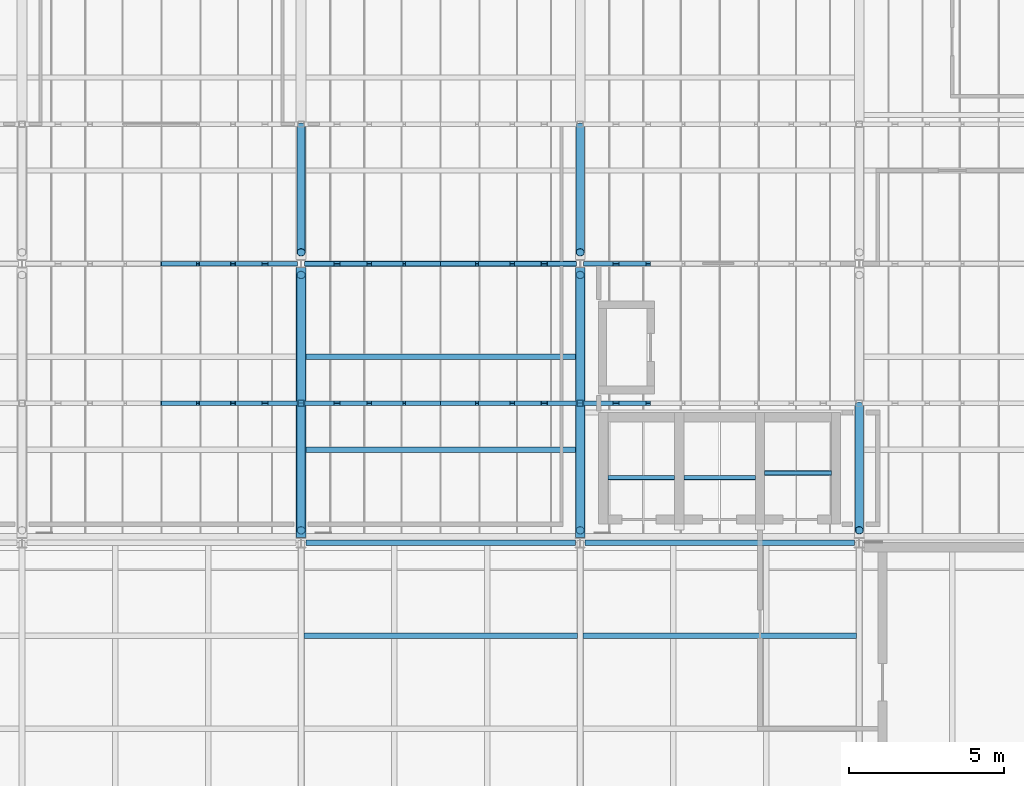
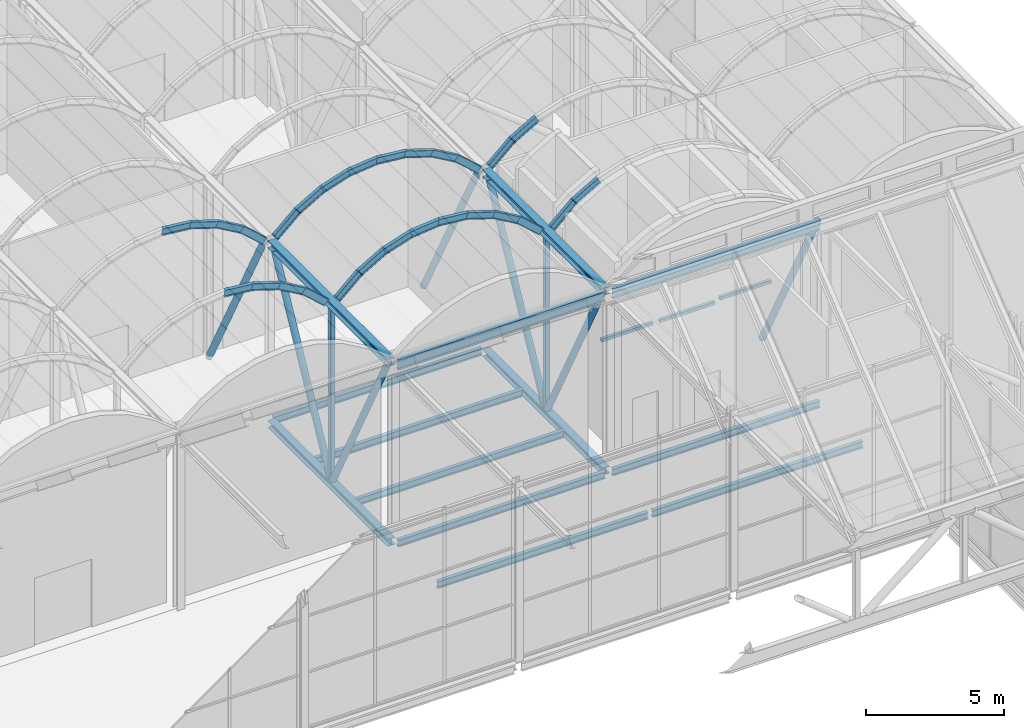
# One storey, part 98 of 144: 37 members, 16 beams.
"""IFC4 building model written with IfcOpenShell, lengths in metres."""

from ifc_helpers import new_model, si_unit, direction, frame, origin, origin_2d, place, context, subcontext, project, spatial, hollow_rectangle, hollow_circle, i_section, extrude, material, material_profile, profile_set, type_object, element, save


model = new_model("IFC4")

# Units and contexts
model_context = context("Model", 3, precision=1e-05, world=origin(), true_north=direction((0.0, 1.0)))
body_context = subcontext(model_context, "Body", "Model", "MODEL_VIEW")
ifc_project = project(units=[si_unit("LENGTHUNIT", "METRE"), si_unit("AREAUNIT", "SQUARE_METRE"), si_unit("VOLUMEUNIT", "CUBIC_METRE"), si_unit("PLANEANGLEUNIT", "RADIAN"), si_unit("MASSUNIT", "GRAM", prefix="KILO")], contexts=[model_context])

# Site, building, storey
site_placement = place(None, origin())
site = spatial("IfcSite", under=ifc_project, at=site_placement, CompositionType="ELEMENT")
building_placement = place(site_placement, origin())
building = spatial("IfcBuilding", under=site, at=building_placement, Name="Shorebreak Coast Museum", CompositionType="ELEMENT")
storey_placement = place(building_placement, frame((0.0, 0.0, 36.0)))
storey = spatial("IfcBuildingStorey", under=building, at=storey_placement, Name="L06", CompositionType="ELEMENT", Elevation=36.0)

# Beams
ifc_material_1 = material(Name="Steel Grade 300", Category="steel")
ifc_material_profile_1 = material_profile(ifc_material_1, i_section(OverallWidth=0.166015625, OverallDepth=0.30712890625, WebThickness=0.006591796875, FlangeThickness=0.01171875, FilletRadius=0.011474609375, at=origin_2d()), Name="310UB46.2")
ifc_profile_set_1 = profile_set([ifc_material_profile_1], Name="Steel Grade 300")
beam_type_1 = type_object("IfcBeamType", Name="Floor girder east-west 310UB46.2", PredefinedType="BEAM", material=ifc_profile_set_1)
for number, where, z_axis, x_axis, name in (
    (1, (90.155517578125, 90.0, -0.32861328125), (1.0, 0.0, 0.0), (0.0, 1.0, 0.0), "Floor girder east-west L06 11L"),
    (2, (99.155517578125, 90.0, -0.32861328125), (1.0, 0.0, 0.0), (0.0, 1.0, 0.0), "Floor girder east-west L06 12L"),
):
    element("IfcBeam", number, at=place(storey_placement, frame(where, z_axis=z_axis, x_axis=x_axis)), inside=storey, type_object=beam_type_1, Name=name, PredefinedType="BEAM", context=body_context, shape_type="SweptSolid", body=[
        extrude(i_section(OverallWidth=0.166015625, OverallDepth=0.30712890625, WebThickness=0.006591796875, FlangeThickness=0.01171875, FilletRadius=0.011474609375, at=origin_2d()), origin(), (0.0, 0.0, 1.0), 8.68896484375),
    ])
beam_1_placement = place(storey_placement, frame((90.126953125, 99.0, -0.32861328125), z_axis=(1.0, 0.0, 0.0), x_axis=(0.0, 1.0, 0.0)))
element("IfcBeam", 3, at=beam_1_placement, inside=storey, type_object=beam_type_1, Name="Floor girder east-west L06 11M", PredefinedType="BEAM", context=body_context, shape_type="SweptSolid", body=[
    extrude(i_section(OverallWidth=0.166015625, OverallDepth=0.30712890625, WebThickness=0.006591796875, FlangeThickness=0.01171875, FilletRadius=0.011474609375, at=origin_2d()), origin(), (0.0, 0.0, 1.0), 8.74609375),
])
ifc_material_2 = material(Name="Steel Grade 300", Category="steel")
ifc_material_profile_2 = material_profile(ifc_material_2, i_section(OverallWidth=0.1650390625, OverallDepth=0.303955078125, WebThickness=0.006103515625, FlangeThickness=0.01025390625, FilletRadius=0.011474609375, at=origin_2d()), Name="310UB40.4")
ifc_profile_set_2 = profile_set([ifc_material_profile_2], Name="Steel Grade 300")
beam_type_2 = type_object("IfcBeamType", Name="Floor joist 310UB40.4", PredefinedType="JOIST", material=ifc_profile_set_2)
for number, where, z_axis, x_axis, name in (
    (4, (90.089111328125, 87.0, -0.326904296875), (1.0, 0.0, 0.0), (0.0, 1.0, 0.0), "Floor joist L06 bay 11K at 6000 mm"),
    (5, (99.089111328125, 87.0, -0.326904296875), (1.0, 0.0, 0.0), (0.0, 1.0, 0.0), "Floor joist L06 bay 12K at 6000 mm"),
):
    element("IfcBeam", number, at=place(storey_placement, frame(where, z_axis=z_axis, x_axis=x_axis)), inside=storey, type_object=beam_type_2, Name=name, PredefinedType="JOIST", context=body_context, shape_type="SweptSolid", body=[
        extrude(i_section(OverallWidth=0.1650390625, OverallDepth=0.303955078125, WebThickness=0.006103515625, FlangeThickness=0.01025390625, FilletRadius=0.011474609375, at=origin_2d()), origin(), (0.0, 0.0, 1.0), 8.82177734375),
    ])
for number, where, z_axis, x_axis, name in (
    (6, (90.155517578125, 93.0, -0.326904296875), (1.0, 0.0, 0.0), (0.0, 1.0, 0.0), "Floor joist L06 bay 11L at 3000 mm"),
    (7, (90.155517578125, 96.0, -0.326904296875), (1.0, 0.0, 0.0), (0.0, 1.0, 0.0), "Floor joist L06 bay 11L at 6000 mm"),
):
    element("IfcBeam", number, at=place(storey_placement, frame(where, z_axis=z_axis, x_axis=x_axis)), inside=storey, type_object=beam_type_2, Name=name, PredefinedType="JOIST", context=body_context, shape_type="SweptSolid", body=[
        extrude(i_section(OverallWidth=0.1650390625, OverallDepth=0.303955078125, WebThickness=0.006103515625, FlangeThickness=0.01025390625, FilletRadius=0.011474609375, at=origin_2d()), origin(), (0.0, 0.0, 1.0), 8.68896484375),
    ])
ifc_material_3 = material(Name="Steel Grade 300", Category="steel")
ifc_material_profile_3 = material_profile(ifc_material_3, i_section(OverallWidth=0.18994140625, OverallDepth=0.453857421875, WebThickness=0.008544921875, FlangeThickness=0.0126953125, FilletRadius=0.011474609375, at=origin_2d()), Name="460UB67.1")
ifc_profile_set_3 = profile_set([ifc_material_profile_3], Name="Steel Grade 300")
beam_type_3 = type_object("IfcBeamType", Name="Fold valley girder 460UB67.1", PredefinedType="BEAM", material=ifc_profile_set_3)
for number, where, z_axis, x_axis, name in (
    (8, (90.155517578125, 90.0, 7.593017578125), (1.0, 0.0, 0.0), (0.0, 1.0, 0.0), "Fold valley girder FOLD-X line L bay 11L"),
    (9, (99.155517578125, 90.0, 7.593017578125), (1.0, 0.0, 0.0), (0.0, 1.0, 0.0), "Fold valley girder FOLD-X line L bay 12L"),
):
    element("IfcBeam", number, at=place(storey_placement, frame(where, z_axis=z_axis, x_axis=x_axis)), inside=storey, type_object=beam_type_3, Name=name, PredefinedType="BEAM", context=body_context, shape_type="SweptSolid", body=[
        extrude(i_section(OverallWidth=0.18994140625, OverallDepth=0.453857421875, WebThickness=0.008544921875, FlangeThickness=0.0126953125, FilletRadius=0.011474609375, at=origin_2d()), origin(), (0.0, 0.0, 1.0), 8.68896484375),
    ])
ifc_material_4 = material(Name="Steel Grade C450L0", Category="steel")
ifc_material_profile_4 = material_profile(ifc_material_4, hollow_rectangle(XDim=0.14990234375, YDim=0.14990234375, WallThickness=0.009033203125, InnerFilletRadius=0.013427734375, OuterFilletRadius=0.0224609375, at=origin_2d()), Name="150x150x9.0 SHS")
ifc_profile_set_4 = profile_set([ifc_material_profile_4], Name="Steel Grade C450L0")
beam_type_4 = type_object("IfcBeamType", Name="Lift rail head beam 150x150x9.0 SHS", PredefinedType="BEAM", material=ifc_profile_set_4)
beam_2_placement = place(storey_placement, frame((99.89990234375, 92.10009765625, 3.97509765625), z_axis=(1.0, 0.0, 0.0), x_axis=(0.0, 1.0, 0.0)))
element("IfcBeam", 10, at=beam_2_placement, inside=storey, type_object=beam_type_4, Name="Lift P3 rail head beam", PredefinedType="BEAM", context=body_context, shape_type="SweptSolid", body=[
    extrude(hollow_rectangle(XDim=0.14990234375, YDim=0.14990234375, WallThickness=0.009033203125, InnerFilletRadius=0.013427734375, OuterFilletRadius=0.0224609375, at=origin_2d()), origin(), (0.0, 0.0, 1.0), 2.150146484375),
])
beam_3_placement = place(storey_placement, frame((102.35009765625, 92.10009765625, 3.97509765625), z_axis=(1.0, 0.0, 0.0), x_axis=(0.0, 1.0, 0.0)))
element("IfcBeam", 11, at=beam_3_placement, inside=storey, type_object=beam_type_4, Name="Lift P4 rail head beam", PredefinedType="BEAM", context=body_context, shape_type="SweptSolid", body=[
    extrude(hollow_rectangle(XDim=0.14990234375, YDim=0.14990234375, WallThickness=0.009033203125, InnerFilletRadius=0.013427734375, OuterFilletRadius=0.0224609375, at=origin_2d()), origin(), (0.0, 0.0, 1.0), 2.2998046875),
])
beam_4_placement = place(storey_placement, frame((104.949951171875, 92.25, 3.97509765625), z_axis=(1.0, 0.0, 0.0), x_axis=(0.0, 1.0, 0.0)))
element("IfcBeam", 12, at=beam_4_placement, inside=storey, type_object=beam_type_4, Name="Firefighting Lift FL2 rail head beam", PredefinedType="BEAM", context=body_context, shape_type="SweptSolid", body=[
    extrude(hollow_rectangle(XDim=0.14990234375, YDim=0.14990234375, WallThickness=0.009033203125, InnerFilletRadius=0.013427734375, OuterFilletRadius=0.0224609375, at=origin_2d()), origin(), (0.0, 0.0, 1.0), 2.150146484375),
])
ifc_material_5 = material(Name="Steel Grade 300", Category="steel")
ifc_material_profile_5 = material_profile(ifc_material_5, i_section(OverallWidth=0.30908203125, OverallDepth=0.320556640625, WebThickness=0.013916015625, FlangeThickness=0.021728515625, FilletRadius=0.0166015625, at=origin_2d()), Name="310UC137")
ifc_profile_set_5 = profile_set([ifc_material_profile_5], Name="Steel Grade 300")
beam_type_5 = type_object("IfcBeamType", Name="Transfer truss chord 310UC137", PredefinedType="BEAM", material=ifc_profile_set_5)
for number, where, z_axis, x_axis, name in (
    (13, (90.0, 90.16357421875, -0.335205078125), (0.0, 1.0, 0.0), (-1.0, 0.0, 0.0), "Transfer truss TR5 chord C05"),
    (14, (99.0, 90.16357421875, -0.335205078125), (0.0, 1.0, 0.0), (-1.0, 0.0, 0.0), "Transfer truss TR6 chord C05"),
):
    element("IfcBeam", number, at=place(storey_placement, frame(where, z_axis=z_axis, x_axis=x_axis)), inside=storey, type_object=beam_type_5, Name=name, PredefinedType="BEAM", context=body_context, shape_type="SweptSolid", body=[
        extrude(i_section(OverallWidth=0.30908203125, OverallDepth=0.320556640625, WebThickness=0.013916015625, FlangeThickness=0.021728515625, FilletRadius=0.0166015625, at=origin_2d()), origin(), (0.0, 0.0, 1.0), 8.70947265625),
    ])
ifc_material_6 = material(Name="Steel Grade 300", Category="steel")
ifc_material_profile_6 = material_profile(ifc_material_6, i_section(OverallWidth=0.31103515625, OverallDepth=0.3271484375, WebThickness=0.015625, FlangeThickness=0.02490234375, FilletRadius=0.0166015625, at=origin_2d()), Name="310UC158")
ifc_profile_set_6 = profile_set([ifc_material_profile_6], Name="Steel Grade 300")
beam_type_6 = type_object("IfcBeamType", Name="Transfer truss chord 310UC158", PredefinedType="BEAM", material=ifc_profile_set_6)
for number, where, z_axis, x_axis, name in (
    (15, (90.0, 90.16357421875, 7.621337890625), (0.0, 1.0, 0.0), (-1.0, 0.0, 0.0), "Transfer truss TR5 chord C09"),
    (16, (99.0, 90.16357421875, 7.621337890625), (0.0, 1.0, 0.0), (-1.0, 0.0, 0.0), "Transfer truss TR6 chord C09"),
):
    element("IfcBeam", number, at=place(storey_placement, frame(where, z_axis=z_axis, x_axis=x_axis)), inside=storey, type_object=beam_type_6, Name=name, PredefinedType="BEAM", context=body_context, shape_type="SweptSolid", body=[
        extrude(i_section(OverallWidth=0.31103515625, OverallDepth=0.3271484375, WebThickness=0.015625, FlangeThickness=0.02490234375, FilletRadius=0.0166015625, at=origin_2d()), origin(), (0.0, 0.0, 1.0), 8.70947265625),
    ])

# Members
ifc_material_7 = material(Name="Steel Grade C350L0", Category="steel")
ifc_material_profile_7 = material_profile(ifc_material_7, hollow_circle(Radius=0.136474609375, WallThickness=0.00927734375, at=origin_2d()), Name="273.1x9.3 CHS")
ifc_profile_set_7 = profile_set([ifc_material_profile_7], Name="Steel Grade C350L0")
member_type_1 = type_object("IfcMemberType", Name="Transfer truss diagonal 273.1x9.3 CHS", PredefinedType="BRACE", material=ifc_profile_set_7)
member_1_placement = place(storey_placement, frame((90.0, 94.415771484375, -0.175048828125), z_axis=(0.0, -0.465641431585, 0.884973478242), x_axis=(1.0, 0.0, 0.0)))
element("IfcMember", 17, at=member_1_placement, inside=storey, type_object=member_type_1, Name="Transfer truss TR5 diagonal D10", PredefinedType="BRACE", context=body_context, shape_type="SweptSolid", body=[
    extrude(hollow_circle(Radius=0.136474609375, WallThickness=0.00927734375, at=origin_2d()), origin(), (0.0, 0.0, 1.0), 8.625),
])
for number, where, z_axis, x_axis, name in (
    (18, (90.0, 94.585205078125, -0.175048828125), (0.0, 0.468802638879, 0.883302941114), (-1.0, 0.0, 0.0), "Transfer truss TR5 diagonal D11"),
    (19, (90.0, 103.414794921875, -0.175048828125), (0.0, -0.468802638879, 0.883302941114), (1.0, 0.0, 0.0), "Transfer truss TR5 diagonal D12"),
):
    element("IfcMember", number, at=place(storey_placement, frame(where, z_axis=z_axis, x_axis=x_axis)), inside=storey, type_object=member_type_1, Name=name, PredefinedType="BRACE", context=body_context, shape_type="SweptSolid", body=[
        extrude(hollow_circle(Radius=0.136474609375, WallThickness=0.00927734375, at=origin_2d()), origin(), (0.0, 0.0, 1.0), 8.64111328125),
    ])
member_2_placement = place(storey_placement, frame((99.0, 94.415771484375, -0.175048828125), z_axis=(0.0, -0.465641431585, 0.884973478242), x_axis=(1.0, 0.0, 0.0)))
element("IfcMember", 20, at=member_2_placement, inside=storey, type_object=member_type_1, Name="Transfer truss TR6 diagonal D10", PredefinedType="BRACE", context=body_context, shape_type="SweptSolid", body=[
    extrude(hollow_circle(Radius=0.136474609375, WallThickness=0.00927734375, at=origin_2d()), origin(), (0.0, 0.0, 1.0), 8.625),
])
for number, where, z_axis, x_axis, name in (
    (21, (99.0, 94.585205078125, -0.175048828125), (0.0, 0.468802638879, 0.883302941114), (-1.0, 0.0, 0.0), "Transfer truss TR6 diagonal D11"),
    (22, (99.0, 103.414794921875, -0.175048828125), (0.0, -0.468802638879, 0.883302941114), (1.0, 0.0, 0.0), "Transfer truss TR6 diagonal D12"),
):
    element("IfcMember", number, at=place(storey_placement, frame(where, z_axis=z_axis, x_axis=x_axis)), inside=storey, type_object=member_type_1, Name=name, PredefinedType="BRACE", context=body_context, shape_type="SweptSolid", body=[
        extrude(hollow_circle(Radius=0.136474609375, WallThickness=0.00927734375, at=origin_2d()), origin(), (0.0, 0.0, 1.0), 8.64111328125),
    ])
member_3_placement = place(storey_placement, frame((108.0, 94.415771484375, -0.175048828125), z_axis=(0.0, -0.465641431585, 0.884973478242), x_axis=(1.0, 0.0, 0.0)))
element("IfcMember", 23, at=member_3_placement, inside=storey, type_object=member_type_1, Name="Transfer truss TR7 diagonal D10", PredefinedType="BRACE", context=body_context, shape_type="SweptSolid", body=[
    extrude(hollow_circle(Radius=0.136474609375, WallThickness=0.00927734375, at=origin_2d()), origin(), (0.0, 0.0, 1.0), 8.625),
])
ifc_material_8 = material(Name="Steel Grade C450L0", Category="steel")
ifc_material_profile_8 = material_profile(ifc_material_8, hollow_rectangle(XDim=0.199951171875, YDim=0.199951171875, WallThickness=0.009033203125, InnerFilletRadius=0.013427734375, OuterFilletRadius=0.0224609375, at=origin_2d()), Name="200x200x9.0 SHS")
ifc_profile_set_8 = profile_set([ifc_material_profile_8], Name="Steel Grade C450L0")
member_type_2 = type_object("IfcMemberType", Name="Transfer truss strut 200x200x9.0 SHS", PredefinedType="STRUT", material=ifc_profile_set_8)
for number, where, z_axis, x_axis, name in (
    (24, (90.0, 94.5, -0.175048828125), (0.0, 0.0, 1.0), (1.0, 0.0, 0.0), "Transfer truss TR5 strut V08"),
    (25, (99.0, 94.5, -0.175048828125), (0.0, 0.0, 1.0), (1.0, 0.0, 0.0), "Transfer truss TR6 strut V08"),
):
    element("IfcMember", number, at=place(storey_placement, frame(where, z_axis=z_axis, x_axis=x_axis)), inside=storey, type_object=member_type_2, Name=name, PredefinedType="STRUT", context=body_context, shape_type="SweptSolid", body=[
        extrude(hollow_rectangle(XDim=0.199951171875, YDim=0.199951171875, WallThickness=0.009033203125, InnerFilletRadius=0.013427734375, OuterFilletRadius=0.0224609375, at=origin_2d()), origin(), (0.0, 0.0, 1.0), 7.6328125),
    ])
ifc_material_9 = material(Name="Steel Grade 300", Category="steel")
ifc_material_profile_9 = material_profile(ifc_material_9, i_section(OverallWidth=0.14892578125, OverallDepth=0.298095703125, WebThickness=0.005615234375, FlangeThickness=0.008056640625, FilletRadius=0.012939453125, at=origin_2d()), Name="310UB32.0")
ifc_profile_set_9 = profile_set([ifc_material_profile_9], Name="Steel Grade 300")
member_type_3 = type_object("IfcMemberType", Name="Vault arch rib 310UB32.0", PredefinedType="RAFTER", material=ifc_profile_set_9)
for number, where, z_axis, x_axis, name in (
    (26, (85.484375, 94.5, 9.650634765625), (0.994539296345, 0.0, -0.104362771266), (0.0, 1.0, 0.0), "Vault arch rib V4 line 01 facet 5"),
    (27, (85.484375, 99.0, 9.650634765625), (0.994539296345, 0.0, -0.104362771266), (0.0, 1.0, 0.0), "Vault arch rib V4 line 02 facet 5"),
    (28, (86.6708984375, 94.5, 9.529541015625), (0.951225984169, 0.0, -0.308494938436), (0.0, 1.0, 0.0), "Vault arch rib V4 line 01 facet 6"),
    (29, (86.6708984375, 99.0, 9.529541015625), (0.951225984169, 0.0, -0.308494938436), (0.0, 1.0, 0.0), "Vault arch rib V4 line 02 facet 6"),
    (30, (87.80615234375, 94.5, 9.16455078125), (0.866444596228, 0.0, -0.499273233478), (0.0, 1.0, 0.0), "Vault arch rib V4 line 01 facet 7"),
    (31, (87.80615234375, 99.0, 9.16455078125), (0.866444596228, 0.0, -0.499273233478), (0.0, 1.0, 0.0), "Vault arch rib V4 line 02 facet 7"),
):
    element("IfcMember", number, at=place(storey_placement, frame(where, z_axis=z_axis, x_axis=x_axis)), inside=storey, type_object=member_type_3, Name=name, PredefinedType="RAFTER", context=body_context, shape_type="SweptSolid", body=[
        extrude(i_section(OverallWidth=0.14892578125, OverallDepth=0.298095703125, WebThickness=0.005615234375, FlangeThickness=0.008056640625, FilletRadius=0.012939453125, at=origin_2d()), origin(), (0.0, 0.0, 1.0), 1.223388671875),
    ])
for number, where, z_axis, x_axis, name in (
    (32, (88.841064453125, 94.5, 8.572021484375), (0.743894909598, 0.0, -0.668296613394), (0.0, 1.0, 0.0), "Vault arch rib V4 line 01 facet 8"),
    (33, (88.841064453125, 99.0, 8.572021484375), (0.743894909598, 0.0, -0.668296613394), (0.0, 1.0, 0.0), "Vault arch rib V4 line 02 facet 8"),
    (34, (90.21240234375, 94.5, 7.7216796875), (0.743894909598, 0.0, 0.668296613394), (0.0, 1.0, 0.0), "Vault arch rib V5 line 01 facet 1"),
    (35, (90.21240234375, 99.0, 7.7216796875), (0.743894909598, 0.0, 0.668296613394), (0.0, 1.0, 0.0), "Vault arch rib V5 line 02 facet 1"),
):
    element("IfcMember", number, at=place(storey_placement, frame(where, z_axis=z_axis, x_axis=x_axis)), inside=storey, type_object=member_type_3, Name=name, PredefinedType="RAFTER", context=body_context, shape_type="SweptSolid", body=[
        extrude(i_section(OverallWidth=0.14892578125, OverallDepth=0.298095703125, WebThickness=0.005615234375, FlangeThickness=0.008056640625, FilletRadius=0.012939453125, at=origin_2d()), origin(), (0.0, 0.0, 1.0), 1.2724609375),
    ])
for number, where, z_axis, x_axis, name in (
    (36, (91.1337890625, 94.5, 8.5537109375), (0.866444596228, 0.0, 0.499273233478), (0.0, 1.0, 0.0), "Vault arch rib V5 line 01 facet 2"),
    (37, (91.1337890625, 99.0, 8.5537109375), (0.866444596228, 0.0, 0.499273233478), (0.0, 1.0, 0.0), "Vault arch rib V5 line 02 facet 2"),
    (38, (92.165283203125, 94.5, 9.152099609375), (0.951225984169, 0.0, 0.308494938436), (0.0, 1.0, 0.0), "Vault arch rib V5 line 01 facet 3"),
    (39, (92.165283203125, 99.0, 9.152099609375), (0.951225984169, 0.0, 0.308494938436), (0.0, 1.0, 0.0), "Vault arch rib V5 line 02 facet 3"),
    (40, (93.298828125, 94.5, 9.52294921875), (0.994539296345, 0.0, 0.104362771266), (0.0, 1.0, 0.0), "Vault arch rib V5 line 01 facet 4"),
    (41, (93.298828125, 99.0, 9.52294921875), (0.994539296345, 0.0, 0.104362771266), (0.0, 1.0, 0.0), "Vault arch rib V5 line 02 facet 4"),
    (42, (94.484375, 94.5, 9.650634765625), (0.994539296345, 0.0, -0.104362771266), (0.0, 1.0, 0.0), "Vault arch rib V5 line 01 facet 5"),
    (43, (94.484375, 99.0, 9.650634765625), (0.994539296345, 0.0, -0.104362771266), (0.0, 1.0, 0.0), "Vault arch rib V5 line 02 facet 5"),
    (44, (95.6708984375, 94.5, 9.529541015625), (0.951225984169, 0.0, -0.308494938436), (0.0, 1.0, 0.0), "Vault arch rib V5 line 01 facet 6"),
    (45, (95.6708984375, 99.0, 9.529541015625), (0.951225984169, 0.0, -0.308494938436), (0.0, 1.0, 0.0), "Vault arch rib V5 line 02 facet 6"),
    (46, (96.80615234375, 94.5, 9.16455078125), (0.866444596228, 0.0, -0.499273233478), (0.0, 1.0, 0.0), "Vault arch rib V5 line 01 facet 7"),
    (47, (96.80615234375, 99.0, 9.16455078125), (0.866444596228, 0.0, -0.499273233478), (0.0, 1.0, 0.0), "Vault arch rib V5 line 02 facet 7"),
):
    element("IfcMember", number, at=place(storey_placement, frame(where, z_axis=z_axis, x_axis=x_axis)), inside=storey, type_object=member_type_3, Name=name, PredefinedType="RAFTER", context=body_context, shape_type="SweptSolid", body=[
        extrude(i_section(OverallWidth=0.14892578125, OverallDepth=0.298095703125, WebThickness=0.005615234375, FlangeThickness=0.008056640625, FilletRadius=0.012939453125, at=origin_2d()), origin(), (0.0, 0.0, 1.0), 1.223388671875),
    ])
for number, where, z_axis, x_axis, name in (
    (48, (97.841064453125, 94.5, 8.572021484375), (0.743894909598, 0.0, -0.668296613394), (0.0, 1.0, 0.0), "Vault arch rib V5 line 01 facet 8"),
    (49, (97.841064453125, 99.0, 8.572021484375), (0.743894909598, 0.0, -0.668296613394), (0.0, 1.0, 0.0), "Vault arch rib V5 line 02 facet 8"),
    (50, (99.21240234375, 94.5, 7.7216796875), (0.743894909598, 0.0, 0.668296613394), (0.0, 1.0, 0.0), "Vault arch rib V6 line 01 facet 1"),
    (51, (99.21240234375, 99.0, 7.7216796875), (0.743894909598, 0.0, 0.668296613394), (0.0, 1.0, 0.0), "Vault arch rib V6 line 02 facet 1"),
):
    element("IfcMember", number, at=place(storey_placement, frame(where, z_axis=z_axis, x_axis=x_axis)), inside=storey, type_object=member_type_3, Name=name, PredefinedType="RAFTER", context=body_context, shape_type="SweptSolid", body=[
        extrude(i_section(OverallWidth=0.14892578125, OverallDepth=0.298095703125, WebThickness=0.005615234375, FlangeThickness=0.008056640625, FilletRadius=0.012939453125, at=origin_2d()), origin(), (0.0, 0.0, 1.0), 1.2724609375),
    ])
for number, where, z_axis, x_axis, name in (
    (52, (100.1337890625, 94.5, 8.5537109375), (0.866444596228, 0.0, 0.499273233478), (0.0, 1.0, 0.0), "Vault arch rib V6 line 01 facet 2"),
    (53, (100.1337890625, 99.0, 8.5537109375), (0.866444596228, 0.0, 0.499273233478), (0.0, 1.0, 0.0), "Vault arch rib V6 line 02 facet 2"),
):
    element("IfcMember", number, at=place(storey_placement, frame(where, z_axis=z_axis, x_axis=x_axis)), inside=storey, type_object=member_type_3, Name=name, PredefinedType="RAFTER", context=body_context, shape_type="SweptSolid", body=[
        extrude(i_section(OverallWidth=0.14892578125, OverallDepth=0.298095703125, WebThickness=0.005615234375, FlangeThickness=0.008056640625, FilletRadius=0.012939453125, at=origin_2d()), origin(), (0.0, 0.0, 1.0), 1.223388671875),
    ])

save(model, "model.ifc")
